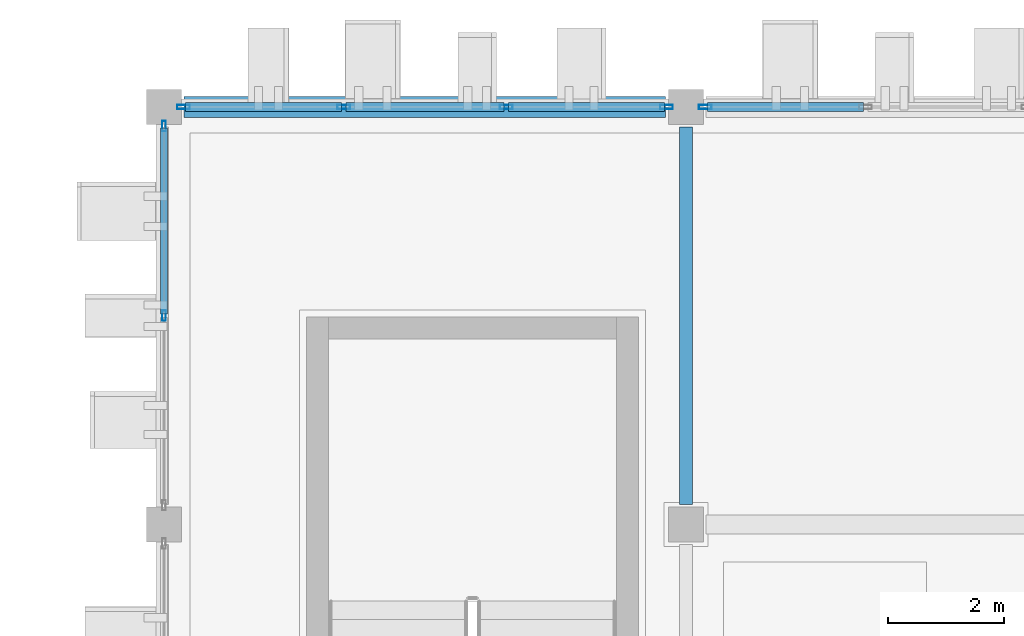
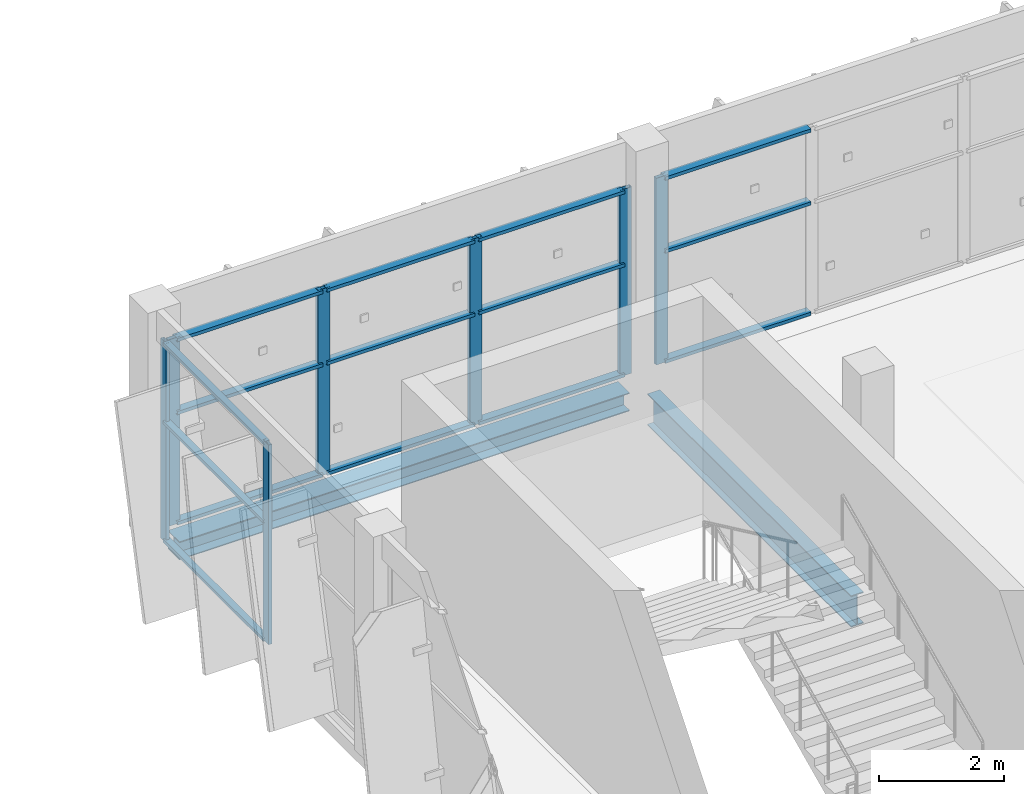
# One storey, part 65 of 124: 22 members, 2 beams, 3 elements without a shape of their own.
"""IFC4 building model written with IfcOpenShell, lengths in metres."""

import ifcopenshell
import ifcopenshell.guid

model = None  # the IFC model being written
_history = None  # IfcOwnerHistory: only IFC2X3 demands one
_inside = {}  # id of a spatial element -> (the spatial element, [elements in it])
_under = {}  # id of a project, library or spatial element -> (it, [spatial elements below it])
_declared = {}  # id of a project -> (the project, [libraries it declares])
_typed = {}  # id of a type object -> (the type object, [elements of that type])
_made_of = {}  # id of a material, layer set ... -> (it, [elements and type objects made of it])


def new_model(schema):
    """Start an empty IFC model of exactly this schema.

    Asked for "IFC4X3", IfcOpenShell would pick the latest addendum, in which some entities
    have other attributes; the version numbers below select the first issue.
    IFC2X3 requires an IfcOwnerHistory on every rooted entity: one is made here for all.
    """
    global model, _history
    if schema == "IFC4X3":
        model = ifcopenshell.file(schema_version=(4, 3, 0, 0))
    else:
        model = ifcopenshell.file(schema=schema)
    _inside.clear()
    _under.clear()
    _declared.clear()
    _typed.clear()
    _made_of.clear()
    _history = None
    if model.schema == "IFC2X3":
        org = make("IfcOrganization", Name="unknown")
        user = make(
            "IfcPersonAndOrganization",
            ThePerson=make("IfcPerson", FamilyName="unknown"),
            TheOrganization=org,
        )
        app = make(
            "IfcApplication",
            ApplicationDeveloper=org,
            Version="unknown",
            ApplicationFullName="unknown",
            ApplicationIdentifier="unknown",
        )
        _history = make(
            "IfcOwnerHistory",
            OwningUser=user,
            OwningApplication=app,
            ChangeAction="ADDED",
            CreationDate=0,
        )
    return model


def make(cls, **values):
    """One entity of the class cls with the attributes given. An attribute that is None is left unset."""
    return model.create_entity(
        cls, **{name: value for name, value in values.items() if value is not None}
    )


def rooted(cls, **values):
    """An entity with a GlobalId (a new one), such as an element, a storey or a relation."""
    return make(cls, GlobalId=ifcopenshell.guid.new(), OwnerHistory=_history, **values)


def si_unit(unit_type, name, prefix=None):
    """IfcSIUnit, for example si_unit("LENGTHUNIT", "METRE", prefix="MILLI")."""
    return make("IfcSIUnit", UnitType=unit_type, Prefix=prefix, Name=name)


def assignment(units):
    """IfcUnitAssignment: the units of a project."""
    return None if units is None else make("IfcUnitAssignment", Units=units)


def point(xyz):
    """IfcCartesianPoint."""
    return None if xyz is None else make("IfcCartesianPoint", Coordinates=xyz)


def direction(xyz):
    """IfcDirection."""
    return None if xyz is None else make("IfcDirection", DirectionRatios=xyz)


def frame(location, z_axis=None, x_axis=None):
    """IfcAxis2Placement3D, a coordinate frame: its origin and axes. An axis left out is left unset."""
    return make(
        "IfcAxis2Placement3D",
        Location=point(location),
        Axis=direction(z_axis),
        RefDirection=direction(x_axis),
    )


def frame_2d(location, x_axis=None):
    """IfcAxis2Placement2D, a coordinate frame in the plane: its origin and x axis."""
    return make(
        "IfcAxis2Placement2D", Location=point(location), RefDirection=direction(x_axis)
    )


def origin():
    """The frame at (0, 0, 0) with its axes left unset."""
    return frame((0.0, 0.0, 0.0))


def origin_2d():
    """The frame at (0, 0) in the plane with its x axis left unset."""
    return frame_2d((0.0, 0.0))


def place(relative_to, where):
    """IfcLocalPlacement: puts the frame where relative to a parent placement (None: the world)."""
    return make(
        "IfcLocalPlacement", PlacementRelTo=relative_to, RelativePlacement=where
    )


def context(
    kind, dimensions, precision=None, world=None, true_north=None, identifier=None
):
    """IfcGeometricRepresentationContext, for example the 3D "Model" context."""
    return make(
        "IfcGeometricRepresentationContext",
        ContextIdentifier=identifier,
        ContextType=kind,
        CoordinateSpaceDimension=dimensions,
        Precision=precision,
        WorldCoordinateSystem=world,
        TrueNorth=true_north,
    )


def subcontext(parent, identifier, kind, view, scale=None):
    """IfcGeometricRepresentationSubContext, for example "Body" below "Model"."""
    return make(
        "IfcGeometricRepresentationSubContext",
        ContextIdentifier=identifier,
        ContextType=kind,
        ParentContext=parent,
        TargetScale=scale,
        TargetView=view,
    )


def project(units=None, contexts=None):
    """IfcProject with its units and contexts."""
    return rooted(
        "IfcProject",
        Name="project",
        RepresentationContexts=contexts,
        UnitsInContext=assignment(units),
    )


def spatial(cls, under=None, at=None, **own):
    """A site, building, storey or space (cls), placed at a placement, below another one or the project."""
    s = rooted(cls, ObjectPlacement=at, **own)
    if under is not None:
        _under.setdefault(under.id(), (under, []))[1].append(s)
    return s


def profile(cls, at=None, kind="AREA", **sizes):
    """A parametric profile (cls). Its sizes go by their IFC names, for example OverallWidth=200.0."""
    return make(cls, ProfileType=kind, Position=at, **sizes)


def hollow_rectangle(**sizes):
    """IfcRectangleHollowProfileDef."""
    return profile("IfcRectangleHollowProfileDef", **sizes)


def i_section(**sizes):
    """IfcIShapeProfileDef."""
    return profile("IfcIShapeProfileDef", **sizes)


def extrude(swept, where, along, depth):
    """IfcExtrudedAreaSolid: the profile swept, set in the frame where, extruded along a direction by depth."""
    return make(
        "IfcExtrudedAreaSolid",
        SweptArea=swept,
        Position=where,
        ExtrudedDirection=direction(along),
        Depth=depth,
    )


def shape(context_of_items, identifier, shape_type, items):
    """IfcShapeRepresentation: the items that make up one representation, for example the "Body"."""
    return make(
        "IfcShapeRepresentation",
        ContextOfItems=context_of_items,
        RepresentationIdentifier=identifier,
        RepresentationType=shape_type,
        Items=items,
    )


def material(Name=None, Category=None):
    """IfcMaterial."""
    return make("IfcMaterial", Name=Name, Category=Category)


def layer(
    of_material, thickness, ventilated=None, Name=None, Category=None, Priority=None
):
    """IfcMaterialLayer: one layer of a wall or slab, of a material (None: an air gap)."""
    return make(
        "IfcMaterialLayer",
        Material=of_material,
        LayerThickness=thickness,
        IsVentilated=ventilated,
        Name=Name,
        Category=Category,
        Priority=Priority,
    )


def layer_set(layers, Name=None):
    """IfcMaterialLayerSet."""
    return make("IfcMaterialLayerSet", MaterialLayers=layers, LayerSetName=Name)


def material_profile(
    of_material, cross_section, Name=None, Category=None, Priority=None
):
    """IfcMaterialProfile: a cross section and its material."""
    return make(
        "IfcMaterialProfile",
        Name=Name,
        Material=of_material,
        Profile=cross_section,
        Priority=Priority,
        Category=Category,
    )


def profile_set(profiles, Name=None, composite=None):
    """IfcMaterialProfileSet."""
    return make(
        "IfcMaterialProfileSet",
        Name=Name,
        MaterialProfiles=profiles,
        CompositeProfile=composite,
    )


def made_of(thing, what):
    """Note that an element or type object is made of a material, layer set ...; save() writes the relation."""
    if what is not None:
        _made_of.setdefault(what.id(), (what, []))[1].append(thing)
    return thing


def type_object(cls, material=None, **own):
    """A type object (cls), such as IfcWallType, which elements share."""
    return made_of(rooted(cls, **own), material)


def element(
    cls,
    number,
    at=None,
    inside=None,
    cuts=None,
    type_object=None,
    material=None,
    context=None,
    identifier="Body",
    shape_type=None,
    held_by="IfcProductDefinitionShape",
    body=None,
    shapes=None,
    **own,
):
    """One element of the class cls, such as IfcWall. Its Tag is "e" and its number.

    at: its placement. inside: the storey or other place that contains it. cuts: it is an
    opening in that element (IfcRelVoidsElement). A single representation is given by context,
    identifier, shape_type and body (its items); several are given by shapes. held_by: the class
    of the entity that holds the representations. save() writes the other relations.
    """
    e = rooted(cls, Tag="e%d" % number, ObjectPlacement=at, **own)
    if body is not None:
        shapes = [shape(context, identifier, shape_type, body)]
    if shapes is not None:
        e.Representation = make(held_by, Representations=shapes)
    if inside is not None:
        _inside.setdefault(inside.id(), (inside, []))[1].append(e)
    if cuts is not None:
        rooted(
            "IfcRelVoidsElement", RelatingBuildingElement=cuts, RelatedOpeningElement=e
        )
    if type_object is not None:
        _typed.setdefault(type_object.id(), (type_object, []))[1].append(e)
    return made_of(e, material)


def aggregate(whole, parts):
    """IfcRelAggregates: a whole, such as a stair, and the parts it consists of."""
    return rooted("IfcRelAggregates", RelatingObject=whole, RelatedObjects=parts)


def save(model, path):
    """Write the relations noted so far, then the file.

    IfcRelAggregates (storeys below a building ...), IfcRelContainedInSpatialStructure (elements
    in a storey), IfcRelDefinesByType, IfcRelAssociatesMaterial and IfcRelDeclares: one each for
    every whole, place, type object, material and project.
    """
    for whole, parts in _under.values():
        aggregate(whole, parts)
    for where, things in _inside.values():
        rooted(
            "IfcRelContainedInSpatialStructure",
            RelatedElements=things,
            RelatingStructure=where,
        )
    for kind, things in _typed.values():
        rooted("IfcRelDefinesByType", RelatedObjects=things, RelatingType=kind)
    for what, things in _made_of.values():
        rooted("IfcRelAssociatesMaterial", RelatedObjects=things, RelatingMaterial=what)
    for by, libraries in _declared.values():
        rooted("IfcRelDeclares", RelatingContext=by, RelatedDefinitions=libraries)
    model.write(path)


model = new_model("IFC4")

# Units and contexts
model_context = context("Model", 3, precision=1e-05, world=origin(), true_north=direction((0.0, 1.0)))
body_context = subcontext(model_context, "Body", "Model", "MODEL_VIEW")
ifc_project = project(units=[si_unit("LENGTHUNIT", "METRE"), si_unit("AREAUNIT", "SQUARE_METRE"), si_unit("VOLUMEUNIT", "CUBIC_METRE"), si_unit("PLANEANGLEUNIT", "RADIAN"), si_unit("MASSUNIT", "GRAM", prefix="KILO")], contexts=[model_context])

# Site, building, storey
site_placement = place(None, origin())
site = spatial("IfcSite", under=ifc_project, at=site_placement, CompositionType="ELEMENT")
building_placement = place(site_placement, origin())
building = spatial("IfcBuilding", under=site, at=building_placement, Name="Celestram Park Convention Centre", CompositionType="ELEMENT")
storey_placement = place(building_placement, frame((0.0, 0.0, 15.300048828125)))
storey = spatial("IfcBuildingStorey", under=building, at=storey_placement, Name="L03", CompositionType="ELEMENT", Elevation=15.300048828125)

# Curtain wall, members
ifc_material_1 = material(Name="Anodised Aluminium Alloy 6063-T6", Category="aluminium")
ifc_layer_1 = layer(ifc_material_1, 0.179931640625)
ifc_layer_set_1 = layer_set([ifc_layer_1], Name="Anodised Aluminium Alloy 6063-T6")
curtain_wall_type_1 = type_object("IfcCurtainWallType", Name="ARC-CW-660X389", PredefinedType="NOTDEFINED", material=ifc_layer_set_1)
curtain_wall_1_placement = place(storey_placement, origin())
curtain_wall_1 = element("IfcCurtainWall", 1, at=curtain_wall_1_placement, inside=storey, type_object=curtain_wall_type_1, Name="Unitised curtain wall CU-L03-202", PredefinedType="NOTDEFINED")
ifc_material_profile_1 = material_profile(ifc_material_1, hollow_rectangle(XDim=0.06494140625, YDim=0.179931640625, WallThickness=0.00390625, at=origin_2d()), Name="ALU65X180X4")
ifc_profile_set_1 = profile_set([ifc_material_profile_1], Name="Anodised Aluminium Alloy 6063-T6")
member_type_1 = type_object("IfcMemberType", Name="ARC-CWM-150", PredefinedType="MULLION", material=ifc_profile_set_1)
member_1_placement = place(storey_placement, frame((36.0, 162.0, 0.0), z_axis=(0.0, 0.0, 1.0), x_axis=(-1.0, 0.0, 0.0)))
member_1 = element("IfcMember", 2, at=member_1_placement, type_object=member_type_1, Name="CW-66X38 mullion 2", PredefinedType="MULLION", context=body_context, shape_type="SweptSolid", body=[
    extrude(hollow_rectangle(XDim=0.06494140625, YDim=0.179931640625, WallThickness=0.00390625, at=origin_2d()), origin(), (0.0, 0.0, 1.0), 3.89404296875),
])
member_2_placement = place(storey_placement, frame((36.0, 165.26953125, 0.0), z_axis=(0.0, 0.0, 1.0), x_axis=(-1.0, 0.0, 0.0)))
member_2 = element("IfcMember", 3, at=member_2_placement, type_object=member_type_1, Name="CW-66X38 mullion 3", PredefinedType="MULLION", context=body_context, shape_type="SweptSolid", body=[
    extrude(hollow_rectangle(XDim=0.06494140625, YDim=0.179931640625, WallThickness=0.00390625, at=origin_2d()), origin(), (0.0, 0.0, 1.0), 3.89404296875),
])

ifc_layer_2 = layer(ifc_material_1, 0.179931640625)
ifc_layer_set_2 = layer_set([ifc_layer_2], Name="Anodised Aluminium Alloy 6063-T6")
curtain_wall_type_2 = type_object("IfcCurtainWallType", Name="ARC-CW-840X364", PredefinedType="NOTDEFINED", material=ifc_layer_set_2)
curtain_wall_2_placement = place(storey_placement, origin())
curtain_wall_2 = element("IfcCurtainWall", 4, at=curtain_wall_2_placement, inside=storey, type_object=curtain_wall_type_2, Name="Unitised curtain wall CU-L03-203", PredefinedType="NOTDEFINED")
ifc_material_profile_2 = material_profile(ifc_material_1, hollow_rectangle(XDim=0.074951171875, YDim=0.219970703125, WallThickness=0.00390625, at=origin_2d()), Name="ALU75X220X4")
ifc_profile_set_2 = profile_set([ifc_material_profile_2], Name="Anodised Aluminium Alloy 6063-T6")
member_type_2 = type_object("IfcMemberType", Name="ARC-CWM-180", PredefinedType="MULLION", material=ifc_profile_set_2)
member_3_placement = place(storey_placement, frame((36.33544921875, 165.60009765625, 0.0), z_axis=(0.0, 0.0, 1.0), x_axis=(0.0, 1.0, 0.0)))
member_3 = element("IfcMember", 5, at=member_3_placement, type_object=member_type_2, Name="CW-84X36 mullion 1", PredefinedType="MULLION", context=body_context, shape_type="SweptSolid", body=[
    extrude(hollow_rectangle(XDim=0.074951171875, YDim=0.219970703125, WallThickness=0.00390625, at=origin_2d()), origin(), (0.0, 0.0, 1.0), 3.637939453125),
])
member_4_placement = place(storey_placement, frame((39.099365234375, 165.60009765625, 0.0), z_axis=(0.0, 0.0, 1.0), x_axis=(0.0, 1.0, 0.0)))
member_4 = element("IfcMember", 6, at=member_4_placement, type_object=member_type_2, Name="CW-84X36 mullion 2", PredefinedType="MULLION", context=body_context, shape_type="SweptSolid", body=[
    extrude(hollow_rectangle(XDim=0.074951171875, YDim=0.219970703125, WallThickness=0.00390625, at=origin_2d()), origin(), (0.0, 0.0, 1.0), 3.637939453125),
])
member_5_placement = place(storey_placement, frame((41.900634765625, 165.60009765625, 0.0), z_axis=(0.0, 0.0, 1.0), x_axis=(0.0, 1.0, 0.0)))
member_5 = element("IfcMember", 7, at=member_5_placement, type_object=member_type_2, Name="CW-84X36 mullion 3", PredefinedType="MULLION", context=body_context, shape_type="SweptSolid", body=[
    extrude(hollow_rectangle(XDim=0.074951171875, YDim=0.219970703125, WallThickness=0.00390625, at=origin_2d()), origin(), (0.0, 0.0, 1.0), 3.637939453125),
])
member_6_placement = place(storey_placement, frame((44.66455078125, 165.60009765625, 0.0), z_axis=(0.0, 0.0, 1.0), x_axis=(0.0, 1.0, 0.0)))
member_6 = element("IfcMember", 8, at=member_6_placement, type_object=member_type_2, Name="CW-84X36 mullion 4", PredefinedType="MULLION", context=body_context, shape_type="SweptSolid", body=[
    extrude(hollow_rectangle(XDim=0.074951171875, YDim=0.219970703125, WallThickness=0.00390625, at=origin_2d()), origin(), (0.0, 0.0, 1.0), 3.637939453125),
])

# Curtain wall, member
curtain_wall_3_placement = place(storey_placement, origin())
curtain_wall_3 = element("IfcCurtainWall", 9, at=curtain_wall_3_placement, inside=storey, type_object=curtain_wall_type_2, Name="Unitised curtain wall CU-L03-204", PredefinedType="NOTDEFINED")
member_7_placement = place(storey_placement, frame((45.33544921875, 165.60009765625, 0.0), z_axis=(0.0, 0.0, 1.0), x_axis=(0.0, 1.0, 0.0)))
member_7 = element("IfcMember", 10, at=member_7_placement, type_object=member_type_2, Name="CW-84X36 mullion 1", PredefinedType="MULLION", context=body_context, shape_type="SweptSolid", body=[
    extrude(hollow_rectangle(XDim=0.074951171875, YDim=0.219970703125, WallThickness=0.00390625, at=origin_2d()), origin(), (0.0, 0.0, 1.0), 3.637939453125),
])

# Member
ifc_material_profile_3 = material_profile(ifc_material_1, hollow_rectangle(XDim=0.1201171875, YDim=0.06005859375, WallThickness=0.0029296875, at=origin_2d()), Name="ALU120X60X3")
ifc_profile_set_3 = profile_set([ifc_material_profile_3], Name="Anodised Aluminium Alloy 6063-T6")
member_type_3 = type_object("IfcMemberType", Name="ARC-CWT-120", PredefinedType="USERDEFINED", material=ifc_profile_set_3)
member_8_placement = place(storey_placement, frame((36.0, 162.032470703125, 0.030029296875), z_axis=(0.0, 1.0, 0.0), x_axis=(-1.0, 0.0, 0.0)))
member_8 = element("IfcMember", 11, at=member_8_placement, type_object=member_type_3, Name="CW-66X38 transom 2.1", ObjectType="TRANSOM", PredefinedType="USERDEFINED", context=body_context, shape_type="SweptSolid", body=[
    extrude(hollow_rectangle(XDim=0.1201171875, YDim=0.06005859375, WallThickness=0.0029296875, at=origin_2d()), origin(), (0.0, 0.0, 1.0), 3.20458984375),
])

member_9_placement = place(storey_placement, frame((36.0, 162.032470703125, 2.3359375), z_axis=(0.0, 1.0, 0.0), x_axis=(-1.0, 0.0, 0.0)))
member_9 = element("IfcMember", 12, at=member_9_placement, type_object=member_type_3, Name="CW-66X38 transom 2.2", ObjectType="TRANSOM", PredefinedType="USERDEFINED", context=body_context, shape_type="SweptSolid", body=[
    extrude(hollow_rectangle(XDim=0.1201171875, YDim=0.06005859375, WallThickness=0.0029296875, at=origin_2d()), origin(), (0.0, 0.0, 1.0), 3.20458984375),
])

member_10_placement = place(storey_placement, frame((36.0, 162.032470703125, 3.864013671875), z_axis=(0.0, 1.0, 0.0), x_axis=(-1.0, 0.0, 0.0)))
member_10 = element("IfcMember", 13, at=member_10_placement, type_object=member_type_3, Name="CW-66X38 transom 2.3", ObjectType="TRANSOM", PredefinedType="USERDEFINED", context=body_context, shape_type="SweptSolid", body=[
    extrude(hollow_rectangle(XDim=0.1201171875, YDim=0.06005859375, WallThickness=0.0029296875, at=origin_2d()), origin(), (0.0, 0.0, 1.0), 3.20458984375),
])

aggregate(curtain_wall_1, [member_1, member_2, member_8, member_9, member_10])

ifc_material_profile_4 = material_profile(ifc_material_1, hollow_rectangle(XDim=0.14990234375, YDim=0.06494140625, WallThickness=0.0029296875, at=origin_2d()), Name="ALU150X65X3")
ifc_profile_set_4 = profile_set([ifc_material_profile_4], Name="Anodised Aluminium Alloy 6063-T6")
member_type_4 = type_object("IfcMemberType", Name="ARC-CWT-150", PredefinedType="USERDEFINED", material=ifc_profile_set_4)
member_11_placement = place(storey_placement, frame((36.373046875, 165.60009765625, 0.032470703125), z_axis=(1.0, 0.0, 0.0), x_axis=(0.0, 1.0, 0.0)))
member_11 = element("IfcMember", 14, at=member_11_placement, type_object=member_type_4, Name="CW-84X36 transom 1.1", ObjectType="TRANSOM", PredefinedType="USERDEFINED", context=body_context, shape_type="SweptSolid", body=[
    extrude(hollow_rectangle(XDim=0.14990234375, YDim=0.06494140625, WallThickness=0.0029296875, at=origin_2d()), origin(), (0.0, 0.0, 1.0), 2.688720703125),
])

member_12_placement = place(storey_placement, frame((36.373046875, 165.60009765625, 2.182861328125), z_axis=(1.0, 0.0, 0.0), x_axis=(0.0, 1.0, 0.0)))
member_12 = element("IfcMember", 15, at=member_12_placement, type_object=member_type_4, Name="CW-84X36 transom 1.2", ObjectType="TRANSOM", PredefinedType="USERDEFINED", context=body_context, shape_type="SweptSolid", body=[
    extrude(hollow_rectangle(XDim=0.14990234375, YDim=0.06494140625, WallThickness=0.0029296875, at=origin_2d()), origin(), (0.0, 0.0, 1.0), 2.688720703125),
])

member_13_placement = place(storey_placement, frame((36.373046875, 165.60009765625, 3.60546875), z_axis=(1.0, 0.0, 0.0), x_axis=(0.0, 1.0, 0.0)))
member_13 = element("IfcMember", 16, at=member_13_placement, type_object=member_type_4, Name="CW-84X36 transom 1.3", ObjectType="TRANSOM", PredefinedType="USERDEFINED", context=body_context, shape_type="SweptSolid", body=[
    extrude(hollow_rectangle(XDim=0.14990234375, YDim=0.06494140625, WallThickness=0.0029296875, at=origin_2d()), origin(), (0.0, 0.0, 1.0), 2.688720703125),
])

member_14_placement = place(storey_placement, frame((39.13671875, 165.60009765625, 0.032470703125), z_axis=(1.0, 0.0, 0.0), x_axis=(0.0, 1.0, 0.0)))
member_14 = element("IfcMember", 17, at=member_14_placement, type_object=member_type_4, Name="CW-84X36 transom 2.1", ObjectType="TRANSOM", PredefinedType="USERDEFINED", context=body_context, shape_type="SweptSolid", body=[
    extrude(hollow_rectangle(XDim=0.14990234375, YDim=0.06494140625, WallThickness=0.0029296875, at=origin_2d()), origin(), (0.0, 0.0, 1.0), 2.7265625),
])

member_15_placement = place(storey_placement, frame((39.13671875, 165.60009765625, 2.182861328125), z_axis=(1.0, 0.0, 0.0), x_axis=(0.0, 1.0, 0.0)))
member_15 = element("IfcMember", 18, at=member_15_placement, type_object=member_type_4, Name="CW-84X36 transom 2.2", ObjectType="TRANSOM", PredefinedType="USERDEFINED", context=body_context, shape_type="SweptSolid", body=[
    extrude(hollow_rectangle(XDim=0.14990234375, YDim=0.06494140625, WallThickness=0.0029296875, at=origin_2d()), origin(), (0.0, 0.0, 1.0), 2.7265625),
])

member_16_placement = place(storey_placement, frame((39.13671875, 165.60009765625, 3.60546875), z_axis=(1.0, 0.0, 0.0), x_axis=(0.0, 1.0, 0.0)))
member_16 = element("IfcMember", 19, at=member_16_placement, type_object=member_type_4, Name="CW-84X36 transom 2.3", ObjectType="TRANSOM", PredefinedType="USERDEFINED", context=body_context, shape_type="SweptSolid", body=[
    extrude(hollow_rectangle(XDim=0.14990234375, YDim=0.06494140625, WallThickness=0.0029296875, at=origin_2d()), origin(), (0.0, 0.0, 1.0), 2.7265625),
])

member_17_placement = place(storey_placement, frame((41.938232421875, 165.60009765625, 0.032470703125), z_axis=(1.0, 0.0, 0.0), x_axis=(0.0, 1.0, 0.0)))
member_17 = element("IfcMember", 20, at=member_17_placement, type_object=member_type_4, Name="CW-84X36 transom 3.1", ObjectType="TRANSOM", PredefinedType="USERDEFINED", context=body_context, shape_type="SweptSolid", body=[
    extrude(hollow_rectangle(XDim=0.14990234375, YDim=0.06494140625, WallThickness=0.0029296875, at=origin_2d()), origin(), (0.0, 0.0, 1.0), 2.688720703125),
])

member_18_placement = place(storey_placement, frame((41.938232421875, 165.60009765625, 2.182861328125), z_axis=(1.0, 0.0, 0.0), x_axis=(0.0, 1.0, 0.0)))
member_18 = element("IfcMember", 21, at=member_18_placement, type_object=member_type_4, Name="CW-84X36 transom 3.2", ObjectType="TRANSOM", PredefinedType="USERDEFINED", context=body_context, shape_type="SweptSolid", body=[
    extrude(hollow_rectangle(XDim=0.14990234375, YDim=0.06494140625, WallThickness=0.0029296875, at=origin_2d()), origin(), (0.0, 0.0, 1.0), 2.688720703125),
])

member_19_placement = place(storey_placement, frame((41.938232421875, 165.60009765625, 3.60546875), z_axis=(1.0, 0.0, 0.0), x_axis=(0.0, 1.0, 0.0)))
member_19 = element("IfcMember", 22, at=member_19_placement, type_object=member_type_4, Name="CW-84X36 transom 3.3", ObjectType="TRANSOM", PredefinedType="USERDEFINED", context=body_context, shape_type="SweptSolid", body=[
    extrude(hollow_rectangle(XDim=0.14990234375, YDim=0.06494140625, WallThickness=0.0029296875, at=origin_2d()), origin(), (0.0, 0.0, 1.0), 2.688720703125),
])

aggregate(curtain_wall_2, [member_3, member_4, member_5, member_6, member_11, member_12, member_13, member_14, member_15, member_16, member_17, member_18, member_19])

member_20_placement = place(storey_placement, frame((45.373046875, 165.60009765625, 0.032470703125), z_axis=(1.0, 0.0, 0.0), x_axis=(0.0, 1.0, 0.0)))
member_20 = element("IfcMember", 23, at=member_20_placement, type_object=member_type_4, Name="CW-84X36 transom 1.1", ObjectType="TRANSOM", PredefinedType="USERDEFINED", context=body_context, shape_type="SweptSolid", body=[
    extrude(hollow_rectangle(XDim=0.14990234375, YDim=0.06494140625, WallThickness=0.0029296875, at=origin_2d()), origin(), (0.0, 0.0, 1.0), 2.688720703125),
])

member_21_placement = place(storey_placement, frame((45.373046875, 165.60009765625, 2.182861328125), z_axis=(1.0, 0.0, 0.0), x_axis=(0.0, 1.0, 0.0)))
member_21 = element("IfcMember", 24, at=member_21_placement, type_object=member_type_4, Name="CW-84X36 transom 1.2", ObjectType="TRANSOM", PredefinedType="USERDEFINED", context=body_context, shape_type="SweptSolid", body=[
    extrude(hollow_rectangle(XDim=0.14990234375, YDim=0.06494140625, WallThickness=0.0029296875, at=origin_2d()), origin(), (0.0, 0.0, 1.0), 2.688720703125),
])

member_22_placement = place(storey_placement, frame((45.373046875, 165.60009765625, 3.60546875), z_axis=(1.0, 0.0, 0.0), x_axis=(0.0, 1.0, 0.0)))
member_22 = element("IfcMember", 25, at=member_22_placement, type_object=member_type_4, Name="CW-84X36 transom 1.3", ObjectType="TRANSOM", PredefinedType="USERDEFINED", context=body_context, shape_type="SweptSolid", body=[
    extrude(hollow_rectangle(XDim=0.14990234375, YDim=0.06494140625, WallThickness=0.0029296875, at=origin_2d()), origin(), (0.0, 0.0, 1.0), 2.688720703125),
])

aggregate(curtain_wall_3, [member_7, member_20, member_21, member_22])

# Beams
ifc_material_2 = material(Name="Steel ASTM A992 Grade 50", Category="steel")
ifc_material_profile_5 = material_profile(ifc_material_2, i_section(OverallWidth=0.22900390625, OverallDepth=0.612060546875, WebThickness=0.011962890625, FlangeThickness=0.01953125, at=origin_2d()), Name="W24X84")
ifc_profile_set_5 = profile_set([ifc_material_profile_5], Name="Steel ASTM A992 Grade 50")
beam_type_1 = type_object("IfcBeamType", Name="STR-BM-W24X84", PredefinedType="BEAM", material=ifc_profile_set_5)
beam_1_placement = place(storey_placement, frame((45.0, 158.748046875, -0.55615234375), z_axis=(0.0, 1.0, 0.0), x_axis=(-1.0, 0.0, 0.0)))
element("IfcBeam", 26, at=beam_1_placement, inside=storey, type_object=beam_type_1, Name="Primary Y-girder BG-L03-0029", PredefinedType="BEAM", context=body_context, shape_type="SweptSolid", body=[
    extrude(i_section(OverallWidth=0.22900390625, OverallDepth=0.612060546875, WebThickness=0.011962890625, FlangeThickness=0.01953125, at=origin_2d()), origin(), (0.0, 0.0, 1.0), 6.50390625),
])
ifc_material_profile_6 = material_profile(ifc_material_2, i_section(OverallWidth=0.367919921875, OverallDepth=0.35595703125, WebThickness=0.01123046875, FlangeThickness=0.01806640625, at=origin_2d()), Name="W14X90")
ifc_profile_set_6 = profile_set([ifc_material_profile_6], Name="Steel ASTM A992 Grade 50")
beam_type_2 = type_object("IfcBeamType", Name="STR-SPN-W14X90", PredefinedType="SPANDREL", material=ifc_profile_set_6)
beam_2_placement = place(storey_placement, frame((36.347900390625, 165.60009765625, -0.427978515625), z_axis=(1.0, 0.0, 0.0), x_axis=(0.0, 1.0, 0.0)))
element("IfcBeam", 27, at=beam_2_placement, inside=storey, type_object=beam_type_2, Name="Primary X-girder BG-L03-0014", PredefinedType="SPANDREL", context=body_context, shape_type="SweptSolid", body=[
    extrude(i_section(OverallWidth=0.367919921875, OverallDepth=0.35595703125, WebThickness=0.01123046875, FlangeThickness=0.01806640625, at=origin_2d()), origin(), (0.0, 0.0, 1.0), 8.30419921875),
])

save(model, "model.ifc")
